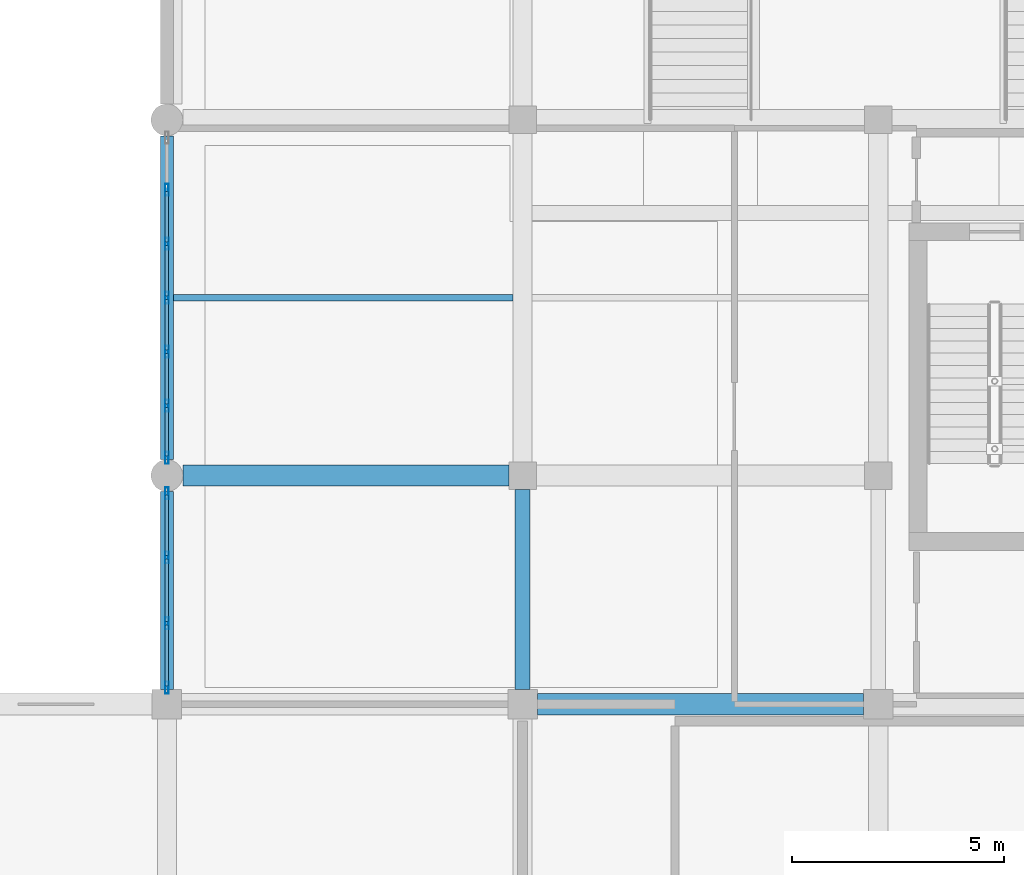
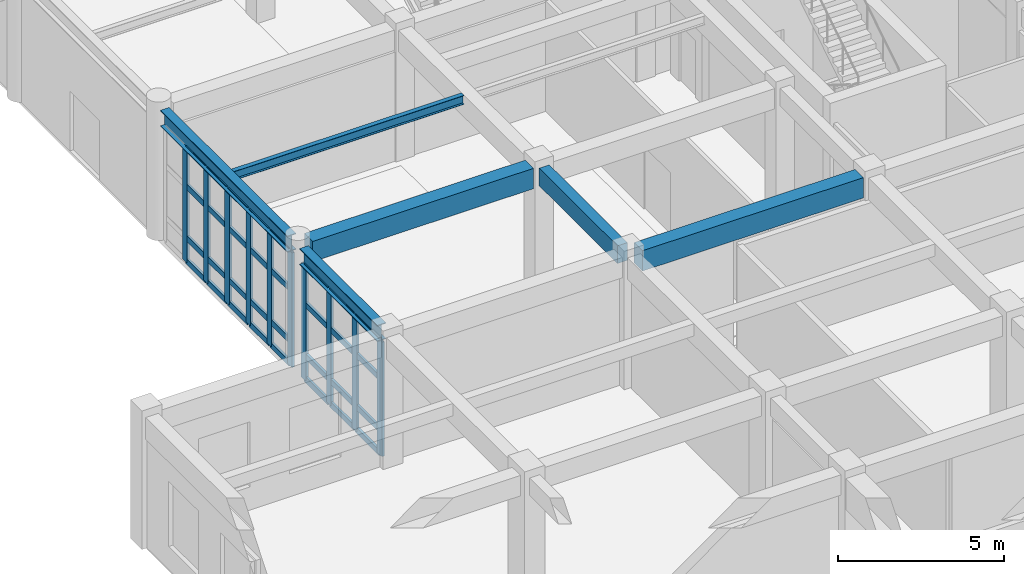
# One storey, part 18 of 80: 42 members, 6 beams, 2 elements without a shape of their own.
"""IFC4 building model written with IfcOpenShell, lengths in metres."""

from ifc_helpers import new_model, si_unit, direction, frame, origin, origin_2d, place, context, subcontext, project, spatial, rectangle, hollow_rectangle, i_section, extrude, material, layer, layer_set, material_profile, profile_set, type_object, element, aggregate, save


model = new_model("IFC4")

# Units and contexts
model_context = context("Model", 3, precision=1e-05, world=origin(), true_north=direction((0.0, 1.0)))
body_context = subcontext(model_context, "Body", "Model", "MODEL_VIEW")
ifc_project = project(units=[si_unit("LENGTHUNIT", "METRE"), si_unit("AREAUNIT", "SQUARE_METRE"), si_unit("VOLUMEUNIT", "CUBIC_METRE"), si_unit("PLANEANGLEUNIT", "RADIAN"), si_unit("MASSUNIT", "GRAM", prefix="KILO")], contexts=[model_context])

# Site, building, storey
site_placement = place(None, origin())
site = spatial("IfcSite", under=ifc_project, at=site_placement, CompositionType="ELEMENT")
building_placement = place(site_placement, origin())
building = spatial("IfcBuilding", under=site, at=building_placement, Name="Krzemoval Escarpment Law Courts", CompositionType="ELEMENT")
storey_placement = place(building_placement, origin())
storey = spatial("IfcBuildingStorey", under=building, at=storey_placement, Name="L00", CompositionType="ELEMENT", Elevation=0.0)

# Beams
ifc_material_1 = material(Name="Concrete C40/50", Category="concrete")
ifc_material_profile_1 = material_profile(ifc_material_1, rectangle(XDim=0.35009765625, YDim=0.64990234375, at=origin_2d()), Name="RCB 350x650")
ifc_profile_set_1 = profile_set([ifc_material_profile_1], Name="Concrete C40/50")
beam_type_1 = type_object("IfcBeamType", Name="BM-RC-350x650", PredefinedType="BEAM", material=ifc_profile_set_1)
beam_1_placement = place(storey_placement, frame((16.800048828125, 35.75, 4.4951171875), z_axis=(0.0, 1.0, 0.0), x_axis=(-1.0, 0.0, 0.0)))
element("IfcBeam", 1, at=beam_1_placement, inside=storey, type_object=beam_type_1, Name="Beam FG-L00-0840", PredefinedType="BEAM", context=body_context, shape_type="SweptSolid", body=[
    extrude(rectangle(XDim=0.35009765625, YDim=0.64990234375, at=origin_2d()), origin(), (0.0, 0.0, 1.0), 4.72509765625),
])
ifc_material_2 = material(Name="Concrete C40/50", Category="concrete")
ifc_material_profile_2 = material_profile(ifc_material_2, rectangle(XDim=0.5, YDim=0.75, at=origin_2d()), Name="RCB 500x750")
ifc_profile_set_2 = profile_set([ifc_material_profile_2], Name="Concrete C40/50")
beam_type_2 = type_object("IfcBeamType", Name="BM-RC-500x750", PredefinedType="BEAM", material=ifc_profile_set_2)
for number, where, z_axis, x_axis, name in (
    (2, (17.14990234375, 35.39990234375, 4.445068359375), (1.0, 0.0, 0.0), (0.0, 1.0, 0.0), "Beam FG-L00-0659"),
    (3, (8.77490234375, 40.800048828125, 4.445068359375), (1.0, 0.0, 0.0), (0.0, 1.0, 0.0), "Beam FG-L00-0675"),
):
    element("IfcBeam", number, at=place(storey_placement, frame(where, z_axis=z_axis, x_axis=x_axis)), inside=storey, type_object=beam_type_2, Name=name, PredefinedType="BEAM", context=body_context, shape_type="SweptSolid", body=[
        extrude(rectangle(XDim=0.5, YDim=0.75, at=origin_2d()), origin(), (0.0, 0.0, 1.0), 7.7001953125),
    ])

# Curtain wall, members
ifc_material_3 = material(Name="Aluminium 6063-T6", Category="aluminium")
ifc_layer = layer(ifc_material_3, 0.280029296875)
ifc_layer_set = layer_set([ifc_layer], Name="Aluminium 6063-T6")
curtain_wall_type = type_object("IfcCurtainWallType", Name="CW-HALL-5100", PredefinedType="USERDEFINED", material=ifc_layer_set)
curtain_wall_1_placement = place(storey_placement, origin())
curtain_wall_1 = element("IfcCurtainWall", 4, at=curtain_wall_1_placement, inside=storey, type_object=curtain_wall_type, Name="Unitised Curtain Wall FCW-L00-001", ObjectType="UNITISED_CURTAIN_WALL", PredefinedType="USERDEFINED")
ifc_material_4 = material(Name="Aluminium 6063-T6", Category="aluminium")
ifc_material_profile_3 = material_profile(ifc_material_4, hollow_rectangle(XDim=0.0849609375, YDim=0.280029296875, WallThickness=0.005615234375, at=origin_2d()), Name="ALU M85x280")
ifc_profile_set_3 = profile_set([ifc_material_profile_3], Name="Aluminium 6063-T6")
member_type_1 = type_object("IfcMemberType", Name="CWM-85x280", PredefinedType="MULLION", material=ifc_profile_set_3)
member_1_placement = place(storey_placement, frame((8.39990234375, 35.79248046875, 0.0), z_axis=(0.0, 0.0, 1.0), x_axis=(-1.0, 0.0, 0.0)))
member_1 = element("IfcMember", 5, at=member_1_placement, type_object=member_type_1, Name="FCW-L00-001 mullion 1", PredefinedType="MULLION", context=body_context, shape_type="SweptSolid", body=[
    extrude(hollow_rectangle(XDim=0.0849609375, YDim=0.280029296875, WallThickness=0.005615234375, at=origin_2d()), origin(), (0.0, 0.0, 1.0), 4.219970703125),
])
member_2_placement = place(storey_placement, frame((8.39990234375, 37.308349609375, 0.0), z_axis=(0.0, 0.0, 1.0), x_axis=(-1.0, 0.0, 0.0)))
member_2 = element("IfcMember", 6, at=member_2_placement, type_object=member_type_1, Name="FCW-L00-001 mullion 2", PredefinedType="MULLION", context=body_context, shape_type="SweptSolid", body=[
    extrude(hollow_rectangle(XDim=0.0849609375, YDim=0.280029296875, WallThickness=0.005615234375, at=origin_2d()), origin(), (0.0, 0.0, 1.0), 4.219970703125),
])
member_3_placement = place(storey_placement, frame((8.39990234375, 38.86669921875, 0.0), z_axis=(0.0, 0.0, 1.0), x_axis=(-1.0, 0.0, 0.0)))
member_3 = element("IfcMember", 7, at=member_3_placement, type_object=member_type_1, Name="FCW-L00-001 mullion 3", PredefinedType="MULLION", context=body_context, shape_type="SweptSolid", body=[
    extrude(hollow_rectangle(XDim=0.0849609375, YDim=0.280029296875, WallThickness=0.005615234375, at=origin_2d()), origin(), (0.0, 0.0, 1.0), 4.219970703125),
])
member_4_placement = place(storey_placement, frame((8.39990234375, 40.382568359375, 0.0), z_axis=(0.0, 0.0, 1.0), x_axis=(-1.0, 0.0, 0.0)))
member_4 = element("IfcMember", 8, at=member_4_placement, type_object=member_type_1, Name="FCW-L00-001 mullion 4", PredefinedType="MULLION", context=body_context, shape_type="SweptSolid", body=[
    extrude(hollow_rectangle(XDim=0.0849609375, YDim=0.280029296875, WallThickness=0.005615234375, at=origin_2d()), origin(), (0.0, 0.0, 1.0), 4.219970703125),
])

curtain_wall_2_placement = place(storey_placement, origin())
curtain_wall_2 = element("IfcCurtainWall", 9, at=curtain_wall_2_placement, inside=storey, type_object=curtain_wall_type, Name="Unitised Curtain Wall FCW-L00-002", ObjectType="UNITISED_CURTAIN_WALL", PredefinedType="USERDEFINED")
member_5_placement = place(storey_placement, frame((8.39990234375, 41.217529296875, 0.0), z_axis=(0.0, 0.0, 1.0), x_axis=(-1.0, 0.0, 0.0)))
member_5 = element("IfcMember", 10, at=member_5_placement, type_object=member_type_1, Name="FCW-L00-002 mullion 1", PredefinedType="MULLION", context=body_context, shape_type="SweptSolid", body=[
    extrude(hollow_rectangle(XDim=0.0849609375, YDim=0.280029296875, WallThickness=0.005615234375, at=origin_2d()), origin(), (0.0, 0.0, 1.0), 4.219970703125),
])
member_6_placement = place(storey_placement, frame((8.39990234375, 42.449951171875, 0.0), z_axis=(0.0, 0.0, 1.0), x_axis=(-1.0, 0.0, 0.0)))
member_6 = element("IfcMember", 11, at=member_6_placement, type_object=member_type_1, Name="FCW-L00-002 mullion 2", PredefinedType="MULLION", context=body_context, shape_type="SweptSolid", body=[
    extrude(hollow_rectangle(XDim=0.0849609375, YDim=0.280029296875, WallThickness=0.005615234375, at=origin_2d()), origin(), (0.0, 0.0, 1.0), 4.219970703125),
])
member_7_placement = place(storey_placement, frame((8.39990234375, 43.72509765625, 0.0), z_axis=(0.0, 0.0, 1.0), x_axis=(-1.0, 0.0, 0.0)))
member_7 = element("IfcMember", 12, at=member_7_placement, type_object=member_type_1, Name="FCW-L00-002 mullion 3", PredefinedType="MULLION", context=body_context, shape_type="SweptSolid", body=[
    extrude(hollow_rectangle(XDim=0.0849609375, YDim=0.280029296875, WallThickness=0.005615234375, at=origin_2d()), origin(), (0.0, 0.0, 1.0), 4.219970703125),
])
member_8_placement = place(storey_placement, frame((8.39990234375, 45.0, 0.0), z_axis=(0.0, 0.0, 1.0), x_axis=(-1.0, 0.0, 0.0)))
member_8 = element("IfcMember", 13, at=member_8_placement, type_object=member_type_1, Name="FCW-L00-002 mullion 4", PredefinedType="MULLION", context=body_context, shape_type="SweptSolid", body=[
    extrude(hollow_rectangle(XDim=0.0849609375, YDim=0.280029296875, WallThickness=0.005615234375, at=origin_2d()), origin(), (0.0, 0.0, 1.0), 4.219970703125),
])
member_9_placement = place(storey_placement, frame((8.39990234375, 46.27490234375, 0.0), z_axis=(0.0, 0.0, 1.0), x_axis=(-1.0, 0.0, 0.0)))
member_9 = element("IfcMember", 14, at=member_9_placement, type_object=member_type_1, Name="FCW-L00-002 mullion 5", PredefinedType="MULLION", context=body_context, shape_type="SweptSolid", body=[
    extrude(hollow_rectangle(XDim=0.0849609375, YDim=0.280029296875, WallThickness=0.005615234375, at=origin_2d()), origin(), (0.0, 0.0, 1.0), 4.219970703125),
])
member_10_placement = place(storey_placement, frame((8.39990234375, 47.550048828125, 0.0), z_axis=(0.0, 0.0, 1.0), x_axis=(-1.0, 0.0, 0.0)))
member_10 = element("IfcMember", 15, at=member_10_placement, type_object=member_type_1, Name="FCW-L00-002 mullion 6", PredefinedType="MULLION", context=body_context, shape_type="SweptSolid", body=[
    extrude(hollow_rectangle(XDim=0.0849609375, YDim=0.280029296875, WallThickness=0.005615234375, at=origin_2d()), origin(), (0.0, 0.0, 1.0), 4.219970703125),
])

# Member
ifc_material_5 = material(Name="Aluminium 6063-T6", Category="aluminium")
ifc_material_profile_4 = material_profile(ifc_material_5, hollow_rectangle(XDim=0.0849609375, YDim=0.2099609375, WallThickness=0.005615234375, at=origin_2d()), Name="ALU T85x210")
ifc_profile_set_4 = profile_set([ifc_material_profile_4], Name="Aluminium 6063-T6")
member_type_2 = type_object("IfcMemberType", Name="CWT-85x210", PredefinedType="USERDEFINED", material=ifc_profile_set_4)
member_11_placement = place(storey_placement, frame((8.39990234375, 35.8349609375, 0.04248046875), z_axis=(0.0, 1.0, 0.0), x_axis=(-1.0, 0.0, 0.0)))
member_11 = element("IfcMember", 16, at=member_11_placement, type_object=member_type_2, Name="FCW-L00-001 transom 1.1", ObjectType="TRANSOM", PredefinedType="USERDEFINED", context=body_context, shape_type="SweptSolid", body=[
    extrude(hollow_rectangle(XDim=0.0849609375, YDim=0.2099609375, WallThickness=0.005615234375, at=origin_2d()), origin(), (0.0, 0.0, 1.0), 1.430908203125),
])

member_12_placement = place(storey_placement, frame((8.39990234375, 35.8349609375, 0.89990234375), z_axis=(0.0, 1.0, 0.0), x_axis=(-1.0, 0.0, 0.0)))
member_12 = element("IfcMember", 17, at=member_12_placement, type_object=member_type_2, Name="FCW-L00-001 transom 1.2", ObjectType="TRANSOM", PredefinedType="USERDEFINED", context=body_context, shape_type="SweptSolid", body=[
    extrude(hollow_rectangle(XDim=0.0849609375, YDim=0.2099609375, WallThickness=0.005615234375, at=origin_2d()), origin(), (0.0, 0.0, 1.0), 1.430908203125),
])

member_13_placement = place(storey_placement, frame((8.39990234375, 35.8349609375, 2.800048828125), z_axis=(0.0, 1.0, 0.0), x_axis=(-1.0, 0.0, 0.0)))
member_13 = element("IfcMember", 18, at=member_13_placement, type_object=member_type_2, Name="FCW-L00-001 transom 1.3", ObjectType="TRANSOM", PredefinedType="USERDEFINED", context=body_context, shape_type="SweptSolid", body=[
    extrude(hollow_rectangle(XDim=0.0849609375, YDim=0.2099609375, WallThickness=0.005615234375, at=origin_2d()), origin(), (0.0, 0.0, 1.0), 1.430908203125),
])

member_14_placement = place(storey_placement, frame((8.39990234375, 35.8349609375, 4.177490234375), z_axis=(0.0, 1.0, 0.0), x_axis=(-1.0, 0.0, 0.0)))
member_14 = element("IfcMember", 19, at=member_14_placement, type_object=member_type_2, Name="FCW-L00-001 transom 1.4", ObjectType="TRANSOM", PredefinedType="USERDEFINED", context=body_context, shape_type="SweptSolid", body=[
    extrude(hollow_rectangle(XDim=0.0849609375, YDim=0.2099609375, WallThickness=0.005615234375, at=origin_2d()), origin(), (0.0, 0.0, 1.0), 1.430908203125),
])

member_15_placement = place(storey_placement, frame((8.39990234375, 37.350830078125, 0.04248046875), z_axis=(0.0, 1.0, 0.0), x_axis=(-1.0, 0.0, 0.0)))
member_15 = element("IfcMember", 20, at=member_15_placement, type_object=member_type_2, Name="FCW-L00-001 transom 2.1", ObjectType="TRANSOM", PredefinedType="USERDEFINED", context=body_context, shape_type="SweptSolid", body=[
    extrude(hollow_rectangle(XDim=0.0849609375, YDim=0.2099609375, WallThickness=0.005615234375, at=origin_2d()), origin(), (0.0, 0.0, 1.0), 1.473388671875),
])

member_16_placement = place(storey_placement, frame((8.39990234375, 37.350830078125, 0.89990234375), z_axis=(0.0, 1.0, 0.0), x_axis=(-1.0, 0.0, 0.0)))
member_16 = element("IfcMember", 21, at=member_16_placement, type_object=member_type_2, Name="FCW-L00-001 transom 2.2", ObjectType="TRANSOM", PredefinedType="USERDEFINED", context=body_context, shape_type="SweptSolid", body=[
    extrude(hollow_rectangle(XDim=0.0849609375, YDim=0.2099609375, WallThickness=0.005615234375, at=origin_2d()), origin(), (0.0, 0.0, 1.0), 1.473388671875),
])

member_17_placement = place(storey_placement, frame((8.39990234375, 37.350830078125, 2.800048828125), z_axis=(0.0, 1.0, 0.0), x_axis=(-1.0, 0.0, 0.0)))
member_17 = element("IfcMember", 22, at=member_17_placement, type_object=member_type_2, Name="FCW-L00-001 transom 2.3", ObjectType="TRANSOM", PredefinedType="USERDEFINED", context=body_context, shape_type="SweptSolid", body=[
    extrude(hollow_rectangle(XDim=0.0849609375, YDim=0.2099609375, WallThickness=0.005615234375, at=origin_2d()), origin(), (0.0, 0.0, 1.0), 1.473388671875),
])

member_18_placement = place(storey_placement, frame((8.39990234375, 37.350830078125, 4.177490234375), z_axis=(0.0, 1.0, 0.0), x_axis=(-1.0, 0.0, 0.0)))
member_18 = element("IfcMember", 23, at=member_18_placement, type_object=member_type_2, Name="FCW-L00-001 transom 2.4", ObjectType="TRANSOM", PredefinedType="USERDEFINED", context=body_context, shape_type="SweptSolid", body=[
    extrude(hollow_rectangle(XDim=0.0849609375, YDim=0.2099609375, WallThickness=0.005615234375, at=origin_2d()), origin(), (0.0, 0.0, 1.0), 1.473388671875),
])

member_19_placement = place(storey_placement, frame((8.39990234375, 38.9091796875, 0.04248046875), z_axis=(0.0, 1.0, 0.0), x_axis=(-1.0, 0.0, 0.0)))
member_19 = element("IfcMember", 24, at=member_19_placement, type_object=member_type_2, Name="FCW-L00-001 transom 3.1", ObjectType="TRANSOM", PredefinedType="USERDEFINED", context=body_context, shape_type="SweptSolid", body=[
    extrude(hollow_rectangle(XDim=0.0849609375, YDim=0.2099609375, WallThickness=0.005615234375, at=origin_2d()), origin(), (0.0, 0.0, 1.0), 1.430908203125),
])

member_20_placement = place(storey_placement, frame((8.39990234375, 38.9091796875, 0.89990234375), z_axis=(0.0, 1.0, 0.0), x_axis=(-1.0, 0.0, 0.0)))
member_20 = element("IfcMember", 25, at=member_20_placement, type_object=member_type_2, Name="FCW-L00-001 transom 3.2", ObjectType="TRANSOM", PredefinedType="USERDEFINED", context=body_context, shape_type="SweptSolid", body=[
    extrude(hollow_rectangle(XDim=0.0849609375, YDim=0.2099609375, WallThickness=0.005615234375, at=origin_2d()), origin(), (0.0, 0.0, 1.0), 1.430908203125),
])

member_21_placement = place(storey_placement, frame((8.39990234375, 38.9091796875, 2.800048828125), z_axis=(0.0, 1.0, 0.0), x_axis=(-1.0, 0.0, 0.0)))
member_21 = element("IfcMember", 26, at=member_21_placement, type_object=member_type_2, Name="FCW-L00-001 transom 3.3", ObjectType="TRANSOM", PredefinedType="USERDEFINED", context=body_context, shape_type="SweptSolid", body=[
    extrude(hollow_rectangle(XDim=0.0849609375, YDim=0.2099609375, WallThickness=0.005615234375, at=origin_2d()), origin(), (0.0, 0.0, 1.0), 1.430908203125),
])

member_22_placement = place(storey_placement, frame((8.39990234375, 38.9091796875, 4.177490234375), z_axis=(0.0, 1.0, 0.0), x_axis=(-1.0, 0.0, 0.0)))
member_22 = element("IfcMember", 27, at=member_22_placement, type_object=member_type_2, Name="FCW-L00-001 transom 3.4", ObjectType="TRANSOM", PredefinedType="USERDEFINED", context=body_context, shape_type="SweptSolid", body=[
    extrude(hollow_rectangle(XDim=0.0849609375, YDim=0.2099609375, WallThickness=0.005615234375, at=origin_2d()), origin(), (0.0, 0.0, 1.0), 1.430908203125),
])

aggregate(curtain_wall_1, [member_1, member_2, member_3, member_4, member_11, member_12, member_13, member_14, member_15, member_16, member_17, member_18, member_19, member_20, member_21, member_22])

member_23_placement = place(storey_placement, frame((8.39990234375, 41.260009765625, 0.04248046875), z_axis=(0.0, 1.0, 0.0), x_axis=(-1.0, 0.0, 0.0)))
member_23 = element("IfcMember", 28, at=member_23_placement, type_object=member_type_2, Name="FCW-L00-002 transom 1.1", ObjectType="TRANSOM", PredefinedType="USERDEFINED", context=body_context, shape_type="SweptSolid", body=[
    extrude(hollow_rectangle(XDim=0.0849609375, YDim=0.2099609375, WallThickness=0.005615234375, at=origin_2d()), origin(), (0.0, 0.0, 1.0), 1.1474609375),
])

member_24_placement = place(storey_placement, frame((8.39990234375, 41.260009765625, 0.89990234375), z_axis=(0.0, 1.0, 0.0), x_axis=(-1.0, 0.0, 0.0)))
member_24 = element("IfcMember", 29, at=member_24_placement, type_object=member_type_2, Name="FCW-L00-002 transom 1.2", ObjectType="TRANSOM", PredefinedType="USERDEFINED", context=body_context, shape_type="SweptSolid", body=[
    extrude(hollow_rectangle(XDim=0.0849609375, YDim=0.2099609375, WallThickness=0.005615234375, at=origin_2d()), origin(), (0.0, 0.0, 1.0), 1.1474609375),
])

member_25_placement = place(storey_placement, frame((8.39990234375, 41.260009765625, 2.800048828125), z_axis=(0.0, 1.0, 0.0), x_axis=(-1.0, 0.0, 0.0)))
member_25 = element("IfcMember", 30, at=member_25_placement, type_object=member_type_2, Name="FCW-L00-002 transom 1.3", ObjectType="TRANSOM", PredefinedType="USERDEFINED", context=body_context, shape_type="SweptSolid", body=[
    extrude(hollow_rectangle(XDim=0.0849609375, YDim=0.2099609375, WallThickness=0.005615234375, at=origin_2d()), origin(), (0.0, 0.0, 1.0), 1.1474609375),
])

member_26_placement = place(storey_placement, frame((8.39990234375, 41.260009765625, 4.177490234375), z_axis=(0.0, 1.0, 0.0), x_axis=(-1.0, 0.0, 0.0)))
member_26 = element("IfcMember", 31, at=member_26_placement, type_object=member_type_2, Name="FCW-L00-002 transom 1.4", ObjectType="TRANSOM", PredefinedType="USERDEFINED", context=body_context, shape_type="SweptSolid", body=[
    extrude(hollow_rectangle(XDim=0.0849609375, YDim=0.2099609375, WallThickness=0.005615234375, at=origin_2d()), origin(), (0.0, 0.0, 1.0), 1.1474609375),
])

member_27_placement = place(storey_placement, frame((8.39990234375, 42.492431640625, 0.04248046875), z_axis=(0.0, 1.0, 0.0), x_axis=(-1.0, 0.0, 0.0)))
member_27 = element("IfcMember", 32, at=member_27_placement, type_object=member_type_2, Name="FCW-L00-002 transom 2.1", ObjectType="TRANSOM", PredefinedType="USERDEFINED", context=body_context, shape_type="SweptSolid", body=[
    extrude(hollow_rectangle(XDim=0.0849609375, YDim=0.2099609375, WallThickness=0.005615234375, at=origin_2d()), origin(), (0.0, 0.0, 1.0), 1.190185546875),
])

member_28_placement = place(storey_placement, frame((8.39990234375, 42.492431640625, 0.89990234375), z_axis=(0.0, 1.0, 0.0), x_axis=(-1.0, 0.0, 0.0)))
member_28 = element("IfcMember", 33, at=member_28_placement, type_object=member_type_2, Name="FCW-L00-002 transom 2.2", ObjectType="TRANSOM", PredefinedType="USERDEFINED", context=body_context, shape_type="SweptSolid", body=[
    extrude(hollow_rectangle(XDim=0.0849609375, YDim=0.2099609375, WallThickness=0.005615234375, at=origin_2d()), origin(), (0.0, 0.0, 1.0), 1.190185546875),
])

member_29_placement = place(storey_placement, frame((8.39990234375, 42.492431640625, 2.800048828125), z_axis=(0.0, 1.0, 0.0), x_axis=(-1.0, 0.0, 0.0)))
member_29 = element("IfcMember", 34, at=member_29_placement, type_object=member_type_2, Name="FCW-L00-002 transom 2.3", ObjectType="TRANSOM", PredefinedType="USERDEFINED", context=body_context, shape_type="SweptSolid", body=[
    extrude(hollow_rectangle(XDim=0.0849609375, YDim=0.2099609375, WallThickness=0.005615234375, at=origin_2d()), origin(), (0.0, 0.0, 1.0), 1.190185546875),
])

member_30_placement = place(storey_placement, frame((8.39990234375, 42.492431640625, 4.177490234375), z_axis=(0.0, 1.0, 0.0), x_axis=(-1.0, 0.0, 0.0)))
member_30 = element("IfcMember", 35, at=member_30_placement, type_object=member_type_2, Name="FCW-L00-002 transom 2.4", ObjectType="TRANSOM", PredefinedType="USERDEFINED", context=body_context, shape_type="SweptSolid", body=[
    extrude(hollow_rectangle(XDim=0.0849609375, YDim=0.2099609375, WallThickness=0.005615234375, at=origin_2d()), origin(), (0.0, 0.0, 1.0), 1.190185546875),
])

member_31_placement = place(storey_placement, frame((8.39990234375, 43.767578125, 0.04248046875), z_axis=(0.0, 1.0, 0.0), x_axis=(-1.0, 0.0, 0.0)))
member_31 = element("IfcMember", 36, at=member_31_placement, type_object=member_type_2, Name="FCW-L00-002 transom 3.1", ObjectType="TRANSOM", PredefinedType="USERDEFINED", context=body_context, shape_type="SweptSolid", body=[
    extrude(hollow_rectangle(XDim=0.0849609375, YDim=0.2099609375, WallThickness=0.005615234375, at=origin_2d()), origin(), (0.0, 0.0, 1.0), 1.18994140625),
])

member_32_placement = place(storey_placement, frame((8.39990234375, 43.767578125, 0.89990234375), z_axis=(0.0, 1.0, 0.0), x_axis=(-1.0, 0.0, 0.0)))
member_32 = element("IfcMember", 37, at=member_32_placement, type_object=member_type_2, Name="FCW-L00-002 transom 3.2", ObjectType="TRANSOM", PredefinedType="USERDEFINED", context=body_context, shape_type="SweptSolid", body=[
    extrude(hollow_rectangle(XDim=0.0849609375, YDim=0.2099609375, WallThickness=0.005615234375, at=origin_2d()), origin(), (0.0, 0.0, 1.0), 1.18994140625),
])

member_33_placement = place(storey_placement, frame((8.39990234375, 43.767578125, 2.800048828125), z_axis=(0.0, 1.0, 0.0), x_axis=(-1.0, 0.0, 0.0)))
member_33 = element("IfcMember", 38, at=member_33_placement, type_object=member_type_2, Name="FCW-L00-002 transom 3.3", ObjectType="TRANSOM", PredefinedType="USERDEFINED", context=body_context, shape_type="SweptSolid", body=[
    extrude(hollow_rectangle(XDim=0.0849609375, YDim=0.2099609375, WallThickness=0.005615234375, at=origin_2d()), origin(), (0.0, 0.0, 1.0), 1.18994140625),
])

member_34_placement = place(storey_placement, frame((8.39990234375, 43.767578125, 4.177490234375), z_axis=(0.0, 1.0, 0.0), x_axis=(-1.0, 0.0, 0.0)))
member_34 = element("IfcMember", 39, at=member_34_placement, type_object=member_type_2, Name="FCW-L00-002 transom 3.4", ObjectType="TRANSOM", PredefinedType="USERDEFINED", context=body_context, shape_type="SweptSolid", body=[
    extrude(hollow_rectangle(XDim=0.0849609375, YDim=0.2099609375, WallThickness=0.005615234375, at=origin_2d()), origin(), (0.0, 0.0, 1.0), 1.18994140625),
])

member_35_placement = place(storey_placement, frame((8.39990234375, 45.04248046875, 0.04248046875), z_axis=(0.0, 1.0, 0.0), x_axis=(-1.0, 0.0, 0.0)))
member_35 = element("IfcMember", 40, at=member_35_placement, type_object=member_type_2, Name="FCW-L00-002 transom 4.1", ObjectType="TRANSOM", PredefinedType="USERDEFINED", context=body_context, shape_type="SweptSolid", body=[
    extrude(hollow_rectangle(XDim=0.0849609375, YDim=0.2099609375, WallThickness=0.005615234375, at=origin_2d()), origin(), (0.0, 0.0, 1.0), 1.18994140625),
])

member_36_placement = place(storey_placement, frame((8.39990234375, 45.04248046875, 0.89990234375), z_axis=(0.0, 1.0, 0.0), x_axis=(-1.0, 0.0, 0.0)))
member_36 = element("IfcMember", 41, at=member_36_placement, type_object=member_type_2, Name="FCW-L00-002 transom 4.2", ObjectType="TRANSOM", PredefinedType="USERDEFINED", context=body_context, shape_type="SweptSolid", body=[
    extrude(hollow_rectangle(XDim=0.0849609375, YDim=0.2099609375, WallThickness=0.005615234375, at=origin_2d()), origin(), (0.0, 0.0, 1.0), 1.18994140625),
])

member_37_placement = place(storey_placement, frame((8.39990234375, 45.04248046875, 2.800048828125), z_axis=(0.0, 1.0, 0.0), x_axis=(-1.0, 0.0, 0.0)))
member_37 = element("IfcMember", 42, at=member_37_placement, type_object=member_type_2, Name="FCW-L00-002 transom 4.3", ObjectType="TRANSOM", PredefinedType="USERDEFINED", context=body_context, shape_type="SweptSolid", body=[
    extrude(hollow_rectangle(XDim=0.0849609375, YDim=0.2099609375, WallThickness=0.005615234375, at=origin_2d()), origin(), (0.0, 0.0, 1.0), 1.18994140625),
])

member_38_placement = place(storey_placement, frame((8.39990234375, 45.04248046875, 4.177490234375), z_axis=(0.0, 1.0, 0.0), x_axis=(-1.0, 0.0, 0.0)))
member_38 = element("IfcMember", 43, at=member_38_placement, type_object=member_type_2, Name="FCW-L00-002 transom 4.4", ObjectType="TRANSOM", PredefinedType="USERDEFINED", context=body_context, shape_type="SweptSolid", body=[
    extrude(hollow_rectangle(XDim=0.0849609375, YDim=0.2099609375, WallThickness=0.005615234375, at=origin_2d()), origin(), (0.0, 0.0, 1.0), 1.18994140625),
])

member_39_placement = place(storey_placement, frame((8.39990234375, 46.3173828125, 0.04248046875), z_axis=(0.0, 1.0, 0.0), x_axis=(-1.0, 0.0, 0.0)))
member_39 = element("IfcMember", 44, at=member_39_placement, type_object=member_type_2, Name="FCW-L00-002 transom 5.1", ObjectType="TRANSOM", PredefinedType="USERDEFINED", context=body_context, shape_type="SweptSolid", body=[
    extrude(hollow_rectangle(XDim=0.0849609375, YDim=0.2099609375, WallThickness=0.005615234375, at=origin_2d()), origin(), (0.0, 0.0, 1.0), 1.190185546875),
])

member_40_placement = place(storey_placement, frame((8.39990234375, 46.3173828125, 0.89990234375), z_axis=(0.0, 1.0, 0.0), x_axis=(-1.0, 0.0, 0.0)))
member_40 = element("IfcMember", 45, at=member_40_placement, type_object=member_type_2, Name="FCW-L00-002 transom 5.2", ObjectType="TRANSOM", PredefinedType="USERDEFINED", context=body_context, shape_type="SweptSolid", body=[
    extrude(hollow_rectangle(XDim=0.0849609375, YDim=0.2099609375, WallThickness=0.005615234375, at=origin_2d()), origin(), (0.0, 0.0, 1.0), 1.190185546875),
])

member_41_placement = place(storey_placement, frame((8.39990234375, 46.3173828125, 2.800048828125), z_axis=(0.0, 1.0, 0.0), x_axis=(-1.0, 0.0, 0.0)))
member_41 = element("IfcMember", 46, at=member_41_placement, type_object=member_type_2, Name="FCW-L00-002 transom 5.3", ObjectType="TRANSOM", PredefinedType="USERDEFINED", context=body_context, shape_type="SweptSolid", body=[
    extrude(hollow_rectangle(XDim=0.0849609375, YDim=0.2099609375, WallThickness=0.005615234375, at=origin_2d()), origin(), (0.0, 0.0, 1.0), 1.190185546875),
])

member_42_placement = place(storey_placement, frame((8.39990234375, 46.3173828125, 4.177490234375), z_axis=(0.0, 1.0, 0.0), x_axis=(-1.0, 0.0, 0.0)))
member_42 = element("IfcMember", 47, at=member_42_placement, type_object=member_type_2, Name="FCW-L00-002 transom 5.4", ObjectType="TRANSOM", PredefinedType="USERDEFINED", context=body_context, shape_type="SweptSolid", body=[
    extrude(hollow_rectangle(XDim=0.0849609375, YDim=0.2099609375, WallThickness=0.005615234375, at=origin_2d()), origin(), (0.0, 0.0, 1.0), 1.190185546875),
])

aggregate(curtain_wall_2, [member_5, member_6, member_7, member_8, member_9, member_10, member_23, member_24, member_25, member_26, member_27, member_28, member_29, member_30, member_31, member_32, member_33, member_34, member_35, member_36, member_37, member_38, member_39, member_40, member_41, member_42])

# Beams
ifc_material_6 = material(Name="Steel S355", Category="steel")
ifc_material_profile_5 = material_profile(ifc_material_6, i_section(OverallWidth=0.159912109375, OverallDepth=0.330078125, WebThickness=0.007568359375, FlangeThickness=0.011474609375, at=origin_2d()), Name="IPE 330")
ifc_profile_set_5 = profile_set([ifc_material_profile_5], Name="Steel S355")
beam_type_3 = type_object("IfcBeamType", Name="JST-S355-IPE330", PredefinedType="JOIST", material=ifc_profile_set_5)
beam_2_placement = place(storey_placement, frame((8.550048828125, 45.0, 4.655029296875), z_axis=(1.0, 0.0, 0.0), x_axis=(0.0, 1.0, 0.0)))
element("IfcBeam", 48, at=beam_2_placement, inside=storey, type_object=beam_type_3, Name="Secondary Joist FJ-L00-1047", PredefinedType="JOIST", context=body_context, shape_type="SweptSolid", body=[
    extrude(i_section(OverallWidth=0.159912109375, OverallDepth=0.330078125, WebThickness=0.007568359375, FlangeThickness=0.011474609375, at=origin_2d()), origin(), (0.0, 0.0, 1.0), 8.02490234375),
])
ifc_material_7 = material(Name="Steel S355", Category="steel")
ifc_material_profile_6 = material_profile(ifc_material_7, i_section(OverallWidth=0.300048828125, OverallDepth=0.60009765625, WebThickness=0.015380859375, FlangeThickness=0.030029296875, at=origin_2d()), Name="HEB 600")
ifc_profile_set_6 = profile_set([ifc_material_profile_6], Name="Steel S355")
beam_type_4 = type_object("IfcBeamType", Name="SPN-S355-HEB600", PredefinedType="SPANDREL", material=ifc_profile_set_6)
beam_3_placement = place(storey_placement, frame((8.39990234375, 35.75, 4.52001953125), z_axis=(0.0, 1.0, 0.0), x_axis=(-1.0, 0.0, 0.0)))
element("IfcBeam", 49, at=beam_3_placement, inside=storey, type_object=beam_type_4, Name="Beam FG-L00-0824", PredefinedType="SPANDREL", context=body_context, shape_type="SweptSolid", body=[
    extrude(i_section(OverallWidth=0.300048828125, OverallDepth=0.60009765625, WebThickness=0.015380859375, FlangeThickness=0.030029296875, at=origin_2d()), origin(), (0.0, 0.0, 1.0), 4.675048828125),
])
beam_4_placement = place(storey_placement, frame((8.39990234375, 41.175048828125, 4.52001953125), z_axis=(0.0, 1.0, 0.0), x_axis=(-1.0, 0.0, 0.0)))
element("IfcBeam", 50, at=beam_4_placement, inside=storey, type_object=beam_type_4, Name="Beam FG-L00-0825", PredefinedType="SPANDREL", context=body_context, shape_type="SweptSolid", body=[
    extrude(i_section(OverallWidth=0.300048828125, OverallDepth=0.60009765625, WebThickness=0.015380859375, FlangeThickness=0.030029296875, at=origin_2d()), origin(), (0.0, 0.0, 1.0), 7.64990234375),
])

save(model, "model.ifc")
